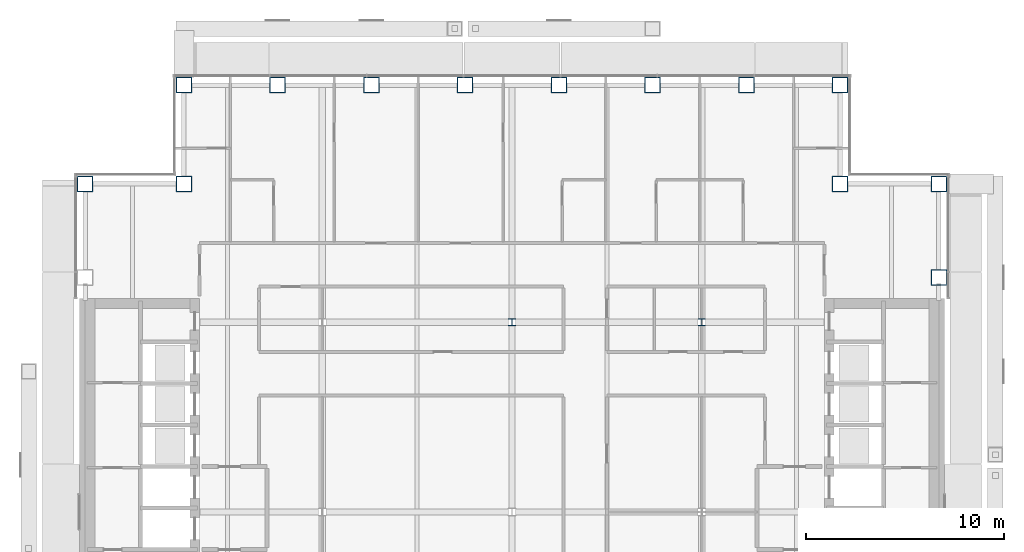
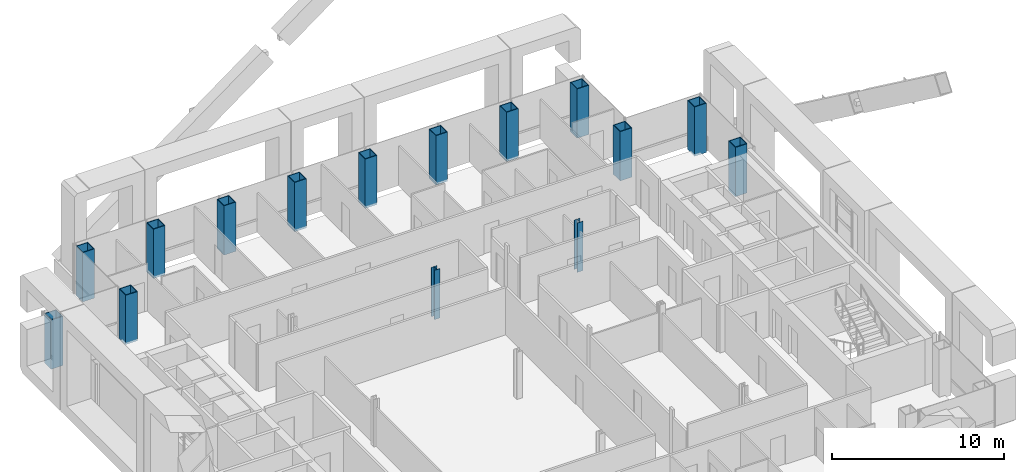
# One storey, part 2 of 22: 15 columns.
"""IFC4 building model written with IfcOpenShell, lengths in metres."""

from ifc_helpers import new_model, si_unit, direction, frame, origin, origin_2d, place, context, subcontext, project, spatial, hollow_rectangle, i_section, extrude, material, material_profile, profile_set, type_object, element, save


model = new_model("IFC4")

# Units and contexts
model_context = context("Model", 3, precision=1e-05, world=origin(), true_north=direction((0.0, 1.0)))
body_context = subcontext(model_context, "Body", "Model", "MODEL_VIEW")
ifc_project = project(units=[si_unit("LENGTHUNIT", "METRE"), si_unit("AREAUNIT", "SQUARE_METRE"), si_unit("VOLUMEUNIT", "CUBIC_METRE"), si_unit("PLANEANGLEUNIT", "RADIAN"), si_unit("MASSUNIT", "GRAM", prefix="KILO")], contexts=[model_context])

# Site, building, storey
site_placement = place(None, origin())
site = spatial("IfcSite", under=ifc_project, at=site_placement, CompositionType="ELEMENT")
building_placement = place(site_placement, origin())
building = spatial("IfcBuilding", under=site, at=building_placement, Name="Cobrizo Arcos Hotel Tower", CompositionType="ELEMENT")
storey_placement = place(building_placement, frame((0.0, 0.0, 155.0)))
storey = spatial("IfcBuildingStorey", under=building, at=storey_placement, Name="L39", CompositionType="ELEMENT", Elevation=155.0)

# Columns
ifc_material_1 = material(Name="Steel ASTM A572 Grade 50", Category="steel")
ifc_material_profile_1 = material_profile(ifc_material_1, hollow_rectangle(XDim=0.800048828125, YDim=0.800048828125, WallThickness=0.044921875, at=origin_2d()), Name="BOX 800X800X45")
ifc_profile_set_1 = profile_set([ifc_material_profile_1], Name="Steel ASTM A572 Grade 50")
column_type_1 = type_object("IfcColumnType", Name="BOX 800X800X45 column", PredefinedType="COLUMN", material=ifc_profile_set_1)
for number, where, z_axis, x_axis, name in (
    (1, (-16.60009765625, 21.60009765625, -0.14990234375), (0.0, 0.0, 1.0), (1.0, 0.0, 0.0), "Perimeter column C8, L39, no. 00"),
    (2, (-11.85693359375, 21.60009765625, -0.14990234375), (0.0, 0.0, 1.0), (1.0, 0.0, 0.0), "Perimeter column C8, L39, no. 02"),
    (3, (-7.114013671875, 21.60009765625, -0.14990234375), (0.0, 0.0, 1.0), (1.0, 0.0, 0.0), "Perimeter column C8, L39, no. 04"),
    (4, (-2.37109375, 21.60009765625, -0.14990234375), (0.0, 0.0, 1.0), (1.0, 0.0, 0.0), "Perimeter column C8, L39, no. 06"),
    (5, (2.37109375, 21.60009765625, -0.14990234375), (0.0, 0.0, 1.0), (1.0, 0.0, 0.0), "Perimeter column C8, L39, no. 08"),
    (6, (7.114013671875, 21.60009765625, -0.14990234375), (0.0, 0.0, 1.0), (1.0, 0.0, 0.0), "Perimeter column C8, L39, no. 10"),
    (7, (11.85693359375, 21.60009765625, -0.14990234375), (0.0, 0.0, 1.0), (1.0, 0.0, 0.0), "Perimeter column C8, L39, no. 12"),
    (8, (16.60009765625, 21.60009765625, -0.14990234375), (0.0, 0.0, 1.0), (1.0, 0.0, 0.0), "Perimeter column C8, L39, no. 14"),
    (9, (21.60009765625, 11.85693359375, -0.14990234375), (0.0, 0.0, 1.0), (1.0, 0.0, 0.0), "Perimeter column C8, L39, no. 20"),
    (10, (21.60009765625, 16.60009765625, -0.14990234375), (0.0, 0.0, 1.0), (1.0, 0.0, 0.0), "Perimeter column C8, L39, no. 22"),
    (11, (-21.60009765625, 16.60009765625, -0.14990234375), (0.0, 0.0, 1.0), (1.0, 0.0, 0.0), "Perimeter column C8, L39, no. 23"),
    (12, (-16.60009765625, 16.60009765625, -0.14990234375), (0.0, 0.0, 1.0), (1.0, 0.0, 0.0), "Perimeter column C8, L39, no. 25"),
    (13, (16.60009765625, 16.60009765625, -0.14990234375), (0.0, 0.0, 1.0), (1.0, 0.0, 0.0), "Perimeter column C8, L39, no. 27"),
):
    element("IfcColumn", number, at=place(storey_placement, frame(where, z_axis=z_axis, x_axis=x_axis)), inside=storey, type_object=column_type_1, Name=name, PredefinedType="COLUMN", context=body_context, shape_type="SweptSolid", body=[
        extrude(hollow_rectangle(XDim=0.800048828125, YDim=0.800048828125, WallThickness=0.044921875, at=origin_2d()), origin(), (0.0, 0.0, 1.0), 3.5),
    ])
ifc_material_2 = material(Name="Steel ASTM A992 Grade 50", Category="steel")
ifc_material_profile_2 = material_profile(ifc_material_2, i_section(OverallWidth=0.373291015625, OverallDepth=0.373291015625, WebThickness=0.016357421875, FlangeThickness=0.026123046875, at=origin_2d()), Name="W14X132")
ifc_profile_set_2 = profile_set([ifc_material_profile_2], Name="Steel ASTM A992 Grade 50")
column_type_2 = type_object("IfcColumnType", Name="W14X132 interior column", PredefinedType="COLUMN", material=ifc_profile_set_2)
for number, where, z_axis, x_axis, name in (
    (14, (0.0, 9.60009765625, -0.14990234375), (0.0, 0.0, 1.0), (1.0, 0.0, 0.0), "Interior column C9, L39, no. 05"),
    (15, (9.60009765625, 9.60009765625, -0.14990234375), (0.0, 0.0, 1.0), (1.0, 0.0, 0.0), "Interior column C9, L39, no. 08"),
):
    element("IfcColumn", number, at=place(storey_placement, frame(where, z_axis=z_axis, x_axis=x_axis)), inside=storey, type_object=column_type_2, Name=name, PredefinedType="COLUMN", context=body_context, shape_type="SweptSolid", body=[
        extrude(i_section(OverallWidth=0.373291015625, OverallDepth=0.373291015625, WebThickness=0.016357421875, FlangeThickness=0.026123046875, at=origin_2d()), origin(), (0.0, 0.0, 1.0), 3.5),
    ])

save(model, "model.ifc")
